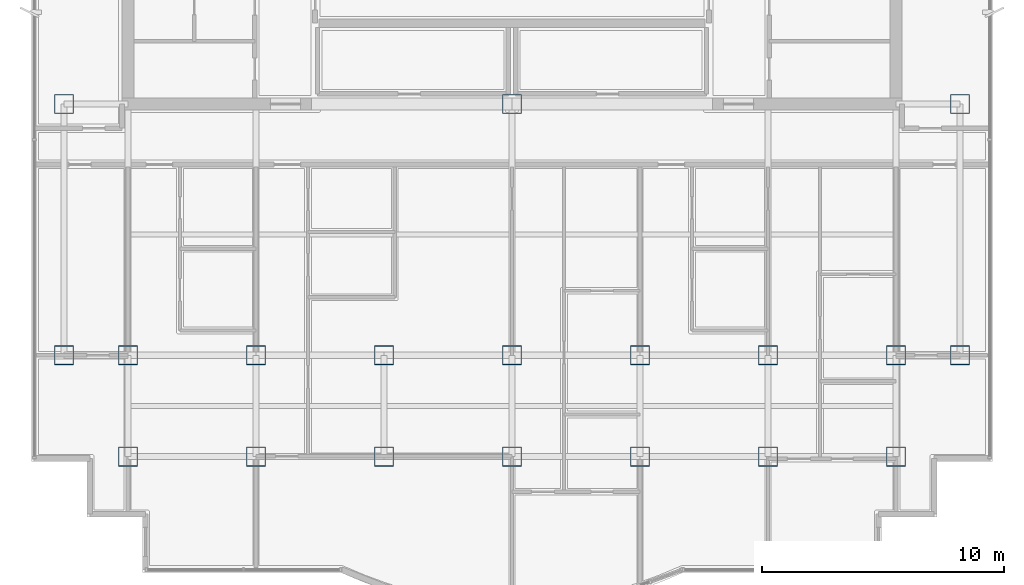
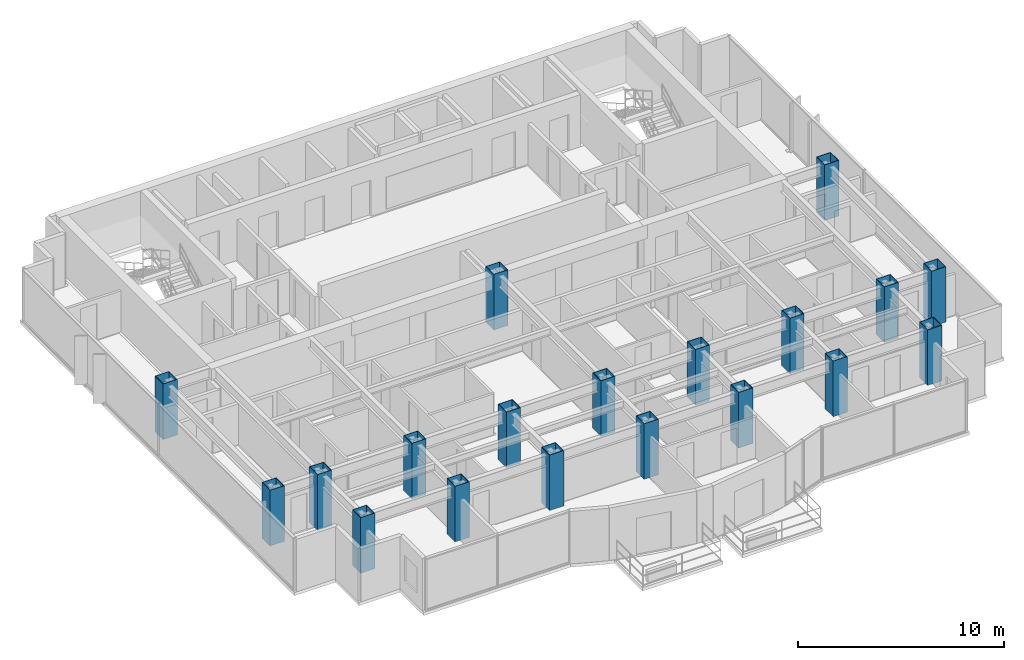
# One storey, part 1 of 12: 19 columns.
"""IFC4 building model written with IfcOpenShell, lengths in metres."""

from ifc_helpers import new_model, si_unit, direction, frame, origin, origin_2d, place, context, subcontext, project, spatial, hollow_rectangle, extrude, material, material_profile, profile_set, type_object, element, save


model = new_model("IFC4")

# Units and contexts
model_context = context("Model", 3, precision=1e-05, world=origin(), true_north=direction((0.0, 1.0)))
body_context = subcontext(model_context, "Body", "Model", "MODEL_VIEW")
ifc_project = project(units=[si_unit("LENGTHUNIT", "METRE"), si_unit("AREAUNIT", "SQUARE_METRE"), si_unit("VOLUMEUNIT", "CUBIC_METRE"), si_unit("PLANEANGLEUNIT", "RADIAN"), si_unit("MASSUNIT", "GRAM", prefix="KILO")], contexts=[model_context])

# Site, building, storey
site_placement = place(None, origin())
site = spatial("IfcSite", under=ifc_project, at=site_placement, CompositionType="ELEMENT")
building_placement = place(site_placement, origin())
building = spatial("IfcBuilding", under=site, at=building_placement, Name="Qianlan Lanfeng Residences", CompositionType="ELEMENT")
storey_placement = place(building_placement, frame((0.0, 0.0, 200.0)))
storey = spatial("IfcBuildingStorey", under=building, at=storey_placement, Name="L54", CompositionType="ELEMENT", Elevation=200.0)

# Columns
ifc_material = material(Name="Steel SN490B", Category="steel")
ifc_material_profile_1 = material_profile(ifc_material, hollow_rectangle(XDim=0.800048828125, YDim=0.800048828125, WallThickness=0.028076171875, at=origin_2d()), Name="BOX 800x800x28")
ifc_profile_set_1 = profile_set([ifc_material_profile_1], Name="Steel SN490B")
column_type_1 = type_object("IfcColumnType", Name="C-B850", PredefinedType="COLUMN", material=ifc_profile_set_1)
for number, where, z_axis, x_axis, name in (
    (1, (26.5, 25.199951171875, 0.0), (0.0, 0.0, 1.0), (1.0, 0.0, 0.0), "L54 Structural Column CP_26.5_25.2"),
    (2, (10.60009765625, 14.800048828125, 0.0), (0.0, 0.0, 1.0), (1.0, 0.0, 0.0), "L54 Structural Column M_10.60_14.80"),
    (3, (15.89990234375, 14.800048828125, 0.0), (0.0, 0.0, 1.0), (1.0, 0.0, 0.0), "L54 Structural Column M_15.90_14.80"),
    (4, (15.89990234375, 10.60009765625, 0.0), (0.0, 0.0, 1.0), (1.0, 0.0, 0.0), "L54 Structural Column G_15.90_10.60"),
    (5, (21.199951171875, 14.800048828125, 0.0), (0.0, 0.0, 1.0), (1.0, 0.0, 0.0), "L54 Structural Column M_21.20_14.80"),
    (6, (21.199951171875, 10.60009765625, 0.0), (0.0, 0.0, 1.0), (1.0, 0.0, 0.0), "L54 Structural Column G_21.20_10.60"),
    (7, (26.5, 14.800048828125, 0.0), (0.0, 0.0, 1.0), (1.0, 0.0, 0.0), "L54 Structural Column M_26.50_14.80"),
    (8, (26.5, 10.60009765625, 0.0), (0.0, 0.0, 1.0), (1.0, 0.0, 0.0), "L54 Structural Column G_26.50_10.60"),
    (9, (31.800048828125, 14.800048828125, 0.0), (0.0, 0.0, 1.0), (1.0, 0.0, 0.0), "L54 Structural Column M_31.80_14.80"),
    (10, (31.800048828125, 10.60009765625, 0.0), (0.0, 0.0, 1.0), (1.0, 0.0, 0.0), "L54 Structural Column G_31.80_10.60"),
    (11, (37.10009765625, 14.800048828125, 0.0), (0.0, 0.0, 1.0), (1.0, 0.0, 0.0), "L54 Structural Column M_37.10_14.80"),
    (12, (37.10009765625, 10.60009765625, 0.0), (0.0, 0.0, 1.0), (1.0, 0.0, 0.0), "L54 Structural Column G_37.10_10.60"),
    (13, (42.39990234375, 14.800048828125, 0.0), (0.0, 0.0, 1.0), (1.0, 0.0, 0.0), "L54 Structural Column M_42.40_14.80"),
):
    element("IfcColumn", number, at=place(storey_placement, frame(where, z_axis=z_axis, x_axis=x_axis)), inside=storey, type_object=column_type_1, Name=name, PredefinedType="COLUMN", context=body_context, shape_type="SweptSolid", body=[
        extrude(hollow_rectangle(XDim=0.800048828125, YDim=0.800048828125, WallThickness=0.028076171875, at=origin_2d()), origin(), (0.0, 0.0, 1.0), 3.300048828125),
    ])
ifc_material_profile_2 = material_profile(ifc_material, hollow_rectangle(XDim=0.800048828125, YDim=0.800048828125, WallThickness=0.028076171875, at=origin_2d()), Name="BOX 800x800x28")
ifc_profile_set_2 = profile_set([ifc_material_profile_2], Name="Steel SN490B")
column_type_2 = type_object("IfcColumnType", Name="CE-B800", PredefinedType="COLUMN", material=ifc_profile_set_2)
for number, where, z_axis, x_axis, name in (
    (14, (10.60009765625, 10.60009765625, 0.0), (0.0, 0.0, 1.0), (1.0, 0.0, 0.0), "L54 Structural Column G_10.60_10.60"),
    (15, (42.39990234375, 10.60009765625, 0.0), (0.0, 0.0, 1.0), (1.0, 0.0, 0.0), "L54 Structural Column G_42.40_10.60"),
    (16, (7.949951171875, 14.800048828125, 0.0), (0.0, 0.0, 1.0), (1.0, 0.0, 0.0), "L54 Structural Column W_7.95_14.80"),
    (17, (7.949951171875, 25.199951171875, 0.0), (0.0, 0.0, 1.0), (1.0, 0.0, 0.0), "L54 Structural Column W_7.95_25.20"),
    (18, (45.050048828125, 14.800048828125, 0.0), (0.0, 0.0, 1.0), (1.0, 0.0, 0.0), "L54 Structural Column W_45.05_14.80"),
    (19, (45.050048828125, 25.199951171875, 0.0), (0.0, 0.0, 1.0), (1.0, 0.0, 0.0), "L54 Structural Column W_45.05_25.20"),
):
    element("IfcColumn", number, at=place(storey_placement, frame(where, z_axis=z_axis, x_axis=x_axis)), inside=storey, type_object=column_type_2, Name=name, PredefinedType="COLUMN", context=body_context, shape_type="SweptSolid", body=[
        extrude(hollow_rectangle(XDim=0.800048828125, YDim=0.800048828125, WallThickness=0.028076171875, at=origin_2d()), origin(), (0.0, 0.0, 1.0), 3.300048828125),
    ])

save(model, "model.ifc")
